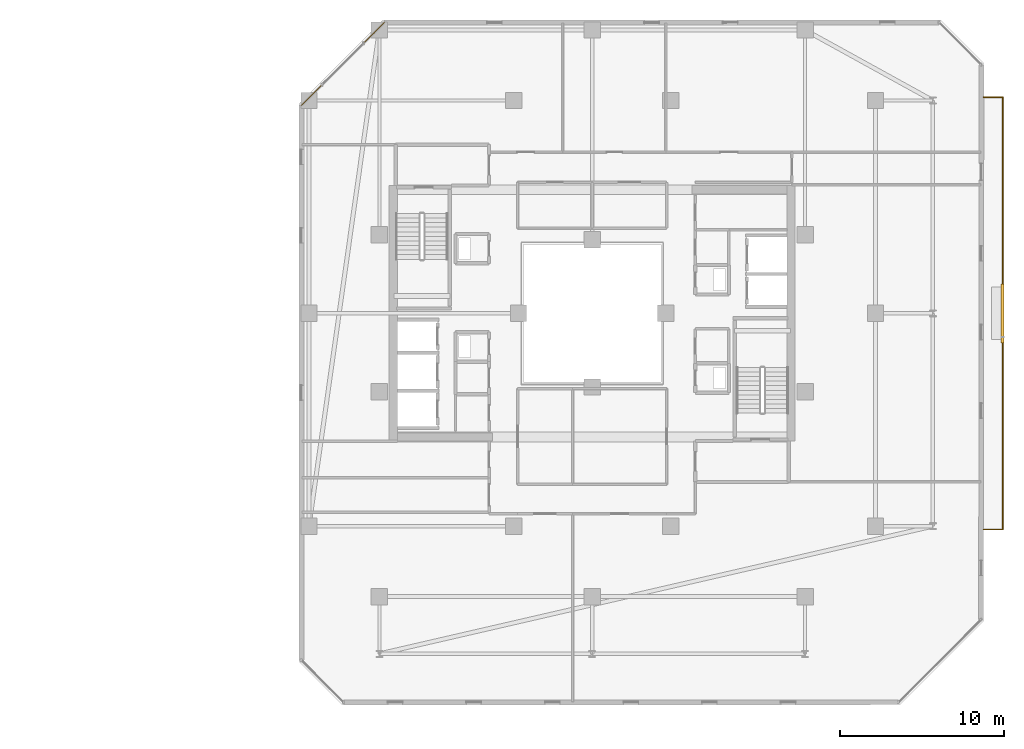
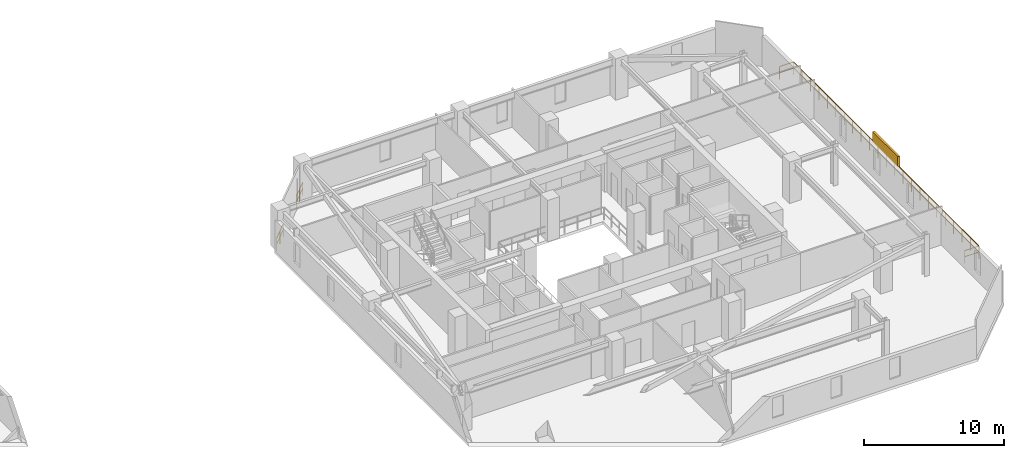
# One storey, part 32 of 32: 3 railings, 1 shading device.
"""IFC4 building model written with IfcOpenShell, lengths in metres."""

import ifcopenshell
import ifcopenshell.guid

model = None  # the IFC model being written
_history = None  # IfcOwnerHistory: only IFC2X3 demands one
_inside = {}  # id of a spatial element -> (the spatial element, [elements in it])
_under = {}  # id of a project, library or spatial element -> (it, [spatial elements below it])
_declared = {}  # id of a project -> (the project, [libraries it declares])
_typed = {}  # id of a type object -> (the type object, [elements of that type])
_made_of = {}  # id of a material, layer set ... -> (it, [elements and type objects made of it])


def new_model(schema):
    """Start an empty IFC model of exactly this schema.

    Asked for "IFC4X3", IfcOpenShell would pick the latest addendum, in which some entities
    have other attributes; the version numbers below select the first issue.
    IFC2X3 requires an IfcOwnerHistory on every rooted entity: one is made here for all.
    """
    global model, _history
    if schema == "IFC4X3":
        model = ifcopenshell.file(schema_version=(4, 3, 0, 0))
    else:
        model = ifcopenshell.file(schema=schema)
    _inside.clear()
    _under.clear()
    _declared.clear()
    _typed.clear()
    _made_of.clear()
    _history = None
    if model.schema == "IFC2X3":
        org = make("IfcOrganization", Name="unknown")
        user = make(
            "IfcPersonAndOrganization",
            ThePerson=make("IfcPerson", FamilyName="unknown"),
            TheOrganization=org,
        )
        app = make(
            "IfcApplication",
            ApplicationDeveloper=org,
            Version="unknown",
            ApplicationFullName="unknown",
            ApplicationIdentifier="unknown",
        )
        _history = make(
            "IfcOwnerHistory",
            OwningUser=user,
            OwningApplication=app,
            ChangeAction="ADDED",
            CreationDate=0,
        )
    return model


def make(cls, **values):
    """One entity of the class cls with the attributes given. An attribute that is None is left unset."""
    return model.create_entity(
        cls, **{name: value for name, value in values.items() if value is not None}
    )


def rooted(cls, **values):
    """An entity with a GlobalId (a new one), such as an element, a storey or a relation."""
    return make(cls, GlobalId=ifcopenshell.guid.new(), OwnerHistory=_history, **values)


def si_unit(unit_type, name, prefix=None):
    """IfcSIUnit, for example si_unit("LENGTHUNIT", "METRE", prefix="MILLI")."""
    return make("IfcSIUnit", UnitType=unit_type, Prefix=prefix, Name=name)


def assignment(units):
    """IfcUnitAssignment: the units of a project."""
    return None if units is None else make("IfcUnitAssignment", Units=units)


def point(xyz):
    """IfcCartesianPoint."""
    return None if xyz is None else make("IfcCartesianPoint", Coordinates=xyz)


def direction(xyz):
    """IfcDirection."""
    return None if xyz is None else make("IfcDirection", DirectionRatios=xyz)


def frame(location, z_axis=None, x_axis=None):
    """IfcAxis2Placement3D, a coordinate frame: its origin and axes. An axis left out is left unset."""
    return make(
        "IfcAxis2Placement3D",
        Location=point(location),
        Axis=direction(z_axis),
        RefDirection=direction(x_axis),
    )


def frame_2d(location, x_axis=None):
    """IfcAxis2Placement2D, a coordinate frame in the plane: its origin and x axis."""
    return make(
        "IfcAxis2Placement2D", Location=point(location), RefDirection=direction(x_axis)
    )


def origin():
    """The frame at (0, 0, 0) with its axes left unset."""
    return frame((0.0, 0.0, 0.0))


def origin_2d():
    """The frame at (0, 0) in the plane with its x axis left unset."""
    return frame_2d((0.0, 0.0))


def place(relative_to, where):
    """IfcLocalPlacement: puts the frame where relative to a parent placement (None: the world)."""
    return make(
        "IfcLocalPlacement", PlacementRelTo=relative_to, RelativePlacement=where
    )


def context(
    kind, dimensions, precision=None, world=None, true_north=None, identifier=None
):
    """IfcGeometricRepresentationContext, for example the 3D "Model" context."""
    return make(
        "IfcGeometricRepresentationContext",
        ContextIdentifier=identifier,
        ContextType=kind,
        CoordinateSpaceDimension=dimensions,
        Precision=precision,
        WorldCoordinateSystem=world,
        TrueNorth=true_north,
    )


def subcontext(parent, identifier, kind, view, scale=None):
    """IfcGeometricRepresentationSubContext, for example "Body" below "Model"."""
    return make(
        "IfcGeometricRepresentationSubContext",
        ContextIdentifier=identifier,
        ContextType=kind,
        ParentContext=parent,
        TargetScale=scale,
        TargetView=view,
    )


def project(units=None, contexts=None):
    """IfcProject with its units and contexts."""
    return rooted(
        "IfcProject",
        Name="project",
        RepresentationContexts=contexts,
        UnitsInContext=assignment(units),
    )


def spatial(cls, under=None, at=None, **own):
    """A site, building, storey or space (cls), placed at a placement, below another one or the project."""
    s = rooted(cls, ObjectPlacement=at, **own)
    if under is not None:
        _under.setdefault(under.id(), (under, []))[1].append(s)
    return s


def profile(cls, at=None, kind="AREA", **sizes):
    """A parametric profile (cls). Its sizes go by their IFC names, for example OverallWidth=200.0."""
    return make(cls, ProfileType=kind, Position=at, **sizes)


def rectangle(**sizes):
    """IfcRectangleProfileDef."""
    return profile("IfcRectangleProfileDef", **sizes)


def extrude(swept, where, along, depth):
    """IfcExtrudedAreaSolid: the profile swept, set in the frame where, extruded along a direction by depth."""
    return make(
        "IfcExtrudedAreaSolid",
        SweptArea=swept,
        Position=where,
        ExtrudedDirection=direction(along),
        Depth=depth,
    )


def shape(context_of_items, identifier, shape_type, items):
    """IfcShapeRepresentation: the items that make up one representation, for example the "Body"."""
    return make(
        "IfcShapeRepresentation",
        ContextOfItems=context_of_items,
        RepresentationIdentifier=identifier,
        RepresentationType=shape_type,
        Items=items,
    )


def material(Name=None, Category=None):
    """IfcMaterial."""
    return make("IfcMaterial", Name=Name, Category=Category)


def made_of(thing, what):
    """Note that an element or type object is made of a material, layer set ...; save() writes the relation."""
    if what is not None:
        _made_of.setdefault(what.id(), (what, []))[1].append(thing)
    return thing


def type_object(cls, material=None, **own):
    """A type object (cls), such as IfcWallType, which elements share."""
    return made_of(rooted(cls, **own), material)


def element(
    cls,
    number,
    at=None,
    inside=None,
    cuts=None,
    type_object=None,
    material=None,
    context=None,
    identifier="Body",
    shape_type=None,
    held_by="IfcProductDefinitionShape",
    body=None,
    shapes=None,
    **own,
):
    """One element of the class cls, such as IfcWall. Its Tag is "e" and its number.

    at: its placement. inside: the storey or other place that contains it. cuts: it is an
    opening in that element (IfcRelVoidsElement). A single representation is given by context,
    identifier, shape_type and body (its items); several are given by shapes. held_by: the class
    of the entity that holds the representations. save() writes the other relations.
    """
    e = rooted(cls, Tag="e%d" % number, ObjectPlacement=at, **own)
    if body is not None:
        shapes = [shape(context, identifier, shape_type, body)]
    if shapes is not None:
        e.Representation = make(held_by, Representations=shapes)
    if inside is not None:
        _inside.setdefault(inside.id(), (inside, []))[1].append(e)
    if cuts is not None:
        rooted(
            "IfcRelVoidsElement", RelatingBuildingElement=cuts, RelatedOpeningElement=e
        )
    if type_object is not None:
        _typed.setdefault(type_object.id(), (type_object, []))[1].append(e)
    return made_of(e, material)


def aggregate(whole, parts):
    """IfcRelAggregates: a whole, such as a stair, and the parts it consists of."""
    return rooted("IfcRelAggregates", RelatingObject=whole, RelatedObjects=parts)


def save(model, path):
    """Write the relations noted so far, then the file.

    IfcRelAggregates (storeys below a building ...), IfcRelContainedInSpatialStructure (elements
    in a storey), IfcRelDefinesByType, IfcRelAssociatesMaterial and IfcRelDeclares: one each for
    every whole, place, type object, material and project.
    """
    for whole, parts in _under.values():
        aggregate(whole, parts)
    for where, things in _inside.values():
        rooted(
            "IfcRelContainedInSpatialStructure",
            RelatedElements=things,
            RelatingStructure=where,
        )
    for kind, things in _typed.values():
        rooted("IfcRelDefinesByType", RelatedObjects=things, RelatingType=kind)
    for what, things in _made_of.values():
        rooted("IfcRelAssociatesMaterial", RelatedObjects=things, RelatingMaterial=what)
    for by, libraries in _declared.values():
        rooted("IfcRelDeclares", RelatingContext=by, RelatedDefinitions=libraries)
    model.write(path)


model = new_model("IFC4")

# Units and contexts
model_context = context("Model", 3, precision=1e-05, world=origin(), true_north=direction((0.0, 1.0)))
body_context = subcontext(model_context, "Body", "Model", "MODEL_VIEW")
ifc_project = project(units=[si_unit("LENGTHUNIT", "METRE"), si_unit("AREAUNIT", "SQUARE_METRE"), si_unit("VOLUMEUNIT", "CUBIC_METRE"), si_unit("PLANEANGLEUNIT", "RADIAN"), si_unit("MASSUNIT", "GRAM", prefix="KILO")], contexts=[model_context])

# Site, building, storey
site_placement = place(None, origin())
site = spatial("IfcSite", under=ifc_project, at=site_placement, CompositionType="ELEMENT")
building_placement = place(site_placement, origin())
building = spatial("IfcBuilding", under=site, at=building_placement, Name="Thornwick Lancets Civic Towers", CompositionType="ELEMENT")
storey_placement = place(building_placement, frame((0.0, 0.0, 243.89990234375)))
storey = spatial("IfcBuildingStorey", under=building, at=storey_placement, Name="L65", CompositionType="ELEMENT", Elevation=243.89990234375)

# Railings
ifc_material_1 = material(Name="Terracotta-capped laminated glass balustrade S355", Category="masonry")
railing_type = type_object("IfcRailingType", Name="RAIL_TERR_GUARD", PredefinedType="GUARDRAIL", material=ifc_material_1)
for number, where, name in (
    (1, (75.800537109375, 44.75634765625, 0.0), "L65 Tower B Chamfer Spandrel Guard E5-1"),
    (2, (72.006103515625, 40.9619140625, 0.0), "L65 Tower B Chamfer Spandrel Guard E5-2"),
):
    element("IfcRailing", number, at=place(storey_placement, frame(where)), inside=storey, type_object=railing_type, Name=name, PredefinedType="GUARDRAIL", context=body_context, shape_type="SweptSolid", body=[
        extrude(rectangle(XDim=0.048095703125, YDim=0.048095703125, at=origin_2d()), frame((0.0, 0.0, 1.1259765625), z_axis=(-0.707106781187, -0.707106781187, 0.0), x_axis=(0.707106781187, -0.707106781187, 0.0)), (0.0, 0.0, 1.0), 1.785400390625),
        extrude(rectangle(XDim=0.0419921875, YDim=0.0419921875, at=origin_2d()), frame((-0.026611328125, -0.026611328125, 0.597900390625), z_axis=(-0.707106781187, -0.707106781187, 0.0), x_axis=(0.707106781187, -0.707106781187, 0.0)), (0.0, 0.0, 1.0), 0.817626953125),
        extrude(rectangle(XDim=0.0419921875, YDim=0.0419921875, at=origin_2d()), frame((-0.65771484375, -0.65771484375, 0.597900390625), z_axis=(-0.707106781187, -0.707106781187, 0.0), x_axis=(0.707106781187, -0.707106781187, 0.0)), (0.0, 0.0, 1.0), 0.817626953125),
        extrude(rectangle(XDim=0.0419921875, YDim=0.0419921875, at=origin_2d()), origin(), (0.0, 0.0, 1.0), 1.095703125),
        extrude(rectangle(XDim=0.0419921875, YDim=0.0419921875, at=origin_2d()), frame((-0.63134765625, -0.63134765625, 0.0)), (0.0, 0.0, 1.0), 1.095703125),
        extrude(rectangle(XDim=0.0419921875, YDim=0.0419921875, at=origin_2d()), frame((-1.262451171875, -1.262451171875, 0.0)), (0.0, 0.0, 1.0), 1.095703125),
    ])
railing_placement = place(storey_placement, frame((112.39990234375, 13.800048828125, 0.0)))
element("IfcRailing", 3, at=railing_placement, inside=storey, type_object=railing_type, Name="L65 Tower B Balcony Guard E", PredefinedType="GUARDRAIL", context=body_context, shape_type="SweptSolid", body=[
    extrude(rectangle(XDim=0.048095703125, YDim=0.048095703125, at=origin_2d()), frame((0.0, 0.0, 1.1259765625), z_axis=(1.0, 0.0, 0.0), x_axis=(0.0, 1.0, 0.0)), (0.0, 0.0, 1.0), 1.138916015625),
    extrude(rectangle(XDim=0.0419921875, YDim=0.0419921875, at=origin_2d()), frame((0.03759765625, 0.0, 0.597900390625), z_axis=(1.0, 0.0, 0.0), x_axis=(0.0, 1.0, 0.0)), (0.0, 0.0, 1.0), 1.09521484375),
    extrude(rectangle(XDim=0.048095703125, YDim=0.048095703125, at=origin_2d()), frame((1.170166015625, 0.03125, 1.1259765625), z_axis=(0.0, 1.0, 0.0), x_axis=(-1.0, 0.0, 0.0)), (0.0, 0.0, 1.0), 26.33740234375),
    extrude(rectangle(XDim=0.0419921875, YDim=0.0419921875, at=origin_2d()), frame((1.170166015625, 0.03759765625, 0.597900390625), z_axis=(0.0, 1.0, 0.0), x_axis=(-1.0, 0.0, 0.0)), (0.0, 0.0, 1.0), 1.125),
    extrude(rectangle(XDim=0.0419921875, YDim=0.0419921875, at=origin_2d()), frame((1.170166015625, 1.237548828125, 0.597900390625), z_axis=(0.0, 1.0, 0.0), x_axis=(-1.0, 0.0, 0.0)), (0.0, 0.0, 1.0), 1.125),
    extrude(rectangle(XDim=0.0419921875, YDim=0.0419921875, at=origin_2d()), frame((1.170166015625, 2.4375, 0.597900390625), z_axis=(0.0, 1.0, 0.0), x_axis=(-1.0, 0.0, 0.0)), (0.0, 0.0, 1.0), 1.125),
    extrude(rectangle(XDim=0.0419921875, YDim=0.0419921875, at=origin_2d()), frame((1.170166015625, 3.637451171875, 0.597900390625), z_axis=(0.0, 1.0, 0.0), x_axis=(-1.0, 0.0, 0.0)), (0.0, 0.0, 1.0), 1.125),
    extrude(rectangle(XDim=0.0419921875, YDim=0.0419921875, at=origin_2d()), frame((1.170166015625, 4.83740234375, 0.597900390625), z_axis=(0.0, 1.0, 0.0), x_axis=(-1.0, 0.0, 0.0)), (0.0, 0.0, 1.0), 1.125),
    extrude(rectangle(XDim=0.0419921875, YDim=0.0419921875, at=origin_2d()), frame((1.170166015625, 6.037353515625, 0.597900390625), z_axis=(0.0, 1.0, 0.0), x_axis=(-1.0, 0.0, 0.0)), (0.0, 0.0, 1.0), 1.125),
    extrude(rectangle(XDim=0.0419921875, YDim=0.0419921875, at=origin_2d()), frame((1.170166015625, 7.237548828125, 0.597900390625), z_axis=(0.0, 1.0, 0.0), x_axis=(-1.0, 0.0, 0.0)), (0.0, 0.0, 1.0), 1.125),
    extrude(rectangle(XDim=0.0419921875, YDim=0.0419921875, at=origin_2d()), frame((1.170166015625, 8.4375, 0.597900390625), z_axis=(0.0, 1.0, 0.0), x_axis=(-1.0, 0.0, 0.0)), (0.0, 0.0, 1.0), 1.125),
    extrude(rectangle(XDim=0.0419921875, YDim=0.0419921875, at=origin_2d()), frame((1.170166015625, 9.637451171875, 0.597900390625), z_axis=(0.0, 1.0, 0.0), x_axis=(-1.0, 0.0, 0.0)), (0.0, 0.0, 1.0), 1.125),
    extrude(rectangle(XDim=0.0419921875, YDim=0.0419921875, at=origin_2d()), frame((1.170166015625, 10.83740234375, 0.597900390625), z_axis=(0.0, 1.0, 0.0), x_axis=(-1.0, 0.0, 0.0)), (0.0, 0.0, 1.0), 1.125),
    extrude(rectangle(XDim=0.0419921875, YDim=0.0419921875, at=origin_2d()), frame((1.170166015625, 12.037353515625, 0.597900390625), z_axis=(0.0, 1.0, 0.0), x_axis=(-1.0, 0.0, 0.0)), (0.0, 0.0, 1.0), 1.125),
    extrude(rectangle(XDim=0.0419921875, YDim=0.0419921875, at=origin_2d()), frame((1.170166015625, 13.237548828125, 0.597900390625), z_axis=(0.0, 1.0, 0.0), x_axis=(-1.0, 0.0, 0.0)), (0.0, 0.0, 1.0), 1.125),
    extrude(rectangle(XDim=0.0419921875, YDim=0.0419921875, at=origin_2d()), frame((1.170166015625, 14.4375, 0.597900390625), z_axis=(0.0, 1.0, 0.0), x_axis=(-1.0, 0.0, 0.0)), (0.0, 0.0, 1.0), 1.125),
    extrude(rectangle(XDim=0.0419921875, YDim=0.0419921875, at=origin_2d()), frame((1.170166015625, 15.637451171875, 0.597900390625), z_axis=(0.0, 1.0, 0.0), x_axis=(-1.0, 0.0, 0.0)), (0.0, 0.0, 1.0), 1.125),
    extrude(rectangle(XDim=0.0419921875, YDim=0.0419921875, at=origin_2d()), frame((1.170166015625, 16.83740234375, 0.597900390625), z_axis=(0.0, 1.0, 0.0), x_axis=(-1.0, 0.0, 0.0)), (0.0, 0.0, 1.0), 1.125),
    extrude(rectangle(XDim=0.0419921875, YDim=0.0419921875, at=origin_2d()), frame((1.170166015625, 18.037353515625, 0.597900390625), z_axis=(0.0, 1.0, 0.0), x_axis=(-1.0, 0.0, 0.0)), (0.0, 0.0, 1.0), 1.125),
    extrude(rectangle(XDim=0.0419921875, YDim=0.0419921875, at=origin_2d()), frame((1.170166015625, 19.2373046875, 0.597900390625), z_axis=(0.0, 1.0, 0.0), x_axis=(-1.0, 0.0, 0.0)), (0.0, 0.0, 1.0), 1.125),
    extrude(rectangle(XDim=0.0419921875, YDim=0.0419921875, at=origin_2d()), frame((1.170166015625, 20.4375, 0.597900390625), z_axis=(0.0, 1.0, 0.0), x_axis=(-1.0, 0.0, 0.0)), (0.0, 0.0, 1.0), 1.125),
    extrude(rectangle(XDim=0.0419921875, YDim=0.0419921875, at=origin_2d()), frame((1.170166015625, 21.637451171875, 0.597900390625), z_axis=(0.0, 1.0, 0.0), x_axis=(-1.0, 0.0, 0.0)), (0.0, 0.0, 1.0), 1.125),
    extrude(rectangle(XDim=0.0419921875, YDim=0.0419921875, at=origin_2d()), frame((1.170166015625, 22.83740234375, 0.597900390625), z_axis=(0.0, 1.0, 0.0), x_axis=(-1.0, 0.0, 0.0)), (0.0, 0.0, 1.0), 1.125),
    extrude(rectangle(XDim=0.0419921875, YDim=0.0419921875, at=origin_2d()), frame((1.170166015625, 24.037353515625, 0.597900390625), z_axis=(0.0, 1.0, 0.0), x_axis=(-1.0, 0.0, 0.0)), (0.0, 0.0, 1.0), 1.125),
    extrude(rectangle(XDim=0.0419921875, YDim=0.0419921875, at=origin_2d()), frame((1.170166015625, 25.2373046875, 0.597900390625), z_axis=(0.0, 1.0, 0.0), x_axis=(-1.0, 0.0, 0.0)), (0.0, 0.0, 1.0), 1.125),
    extrude(rectangle(XDim=0.048095703125, YDim=0.048095703125, at=origin_2d()), frame((1.138916015625, 26.39990234375, 1.1259765625), z_axis=(-1.0, 0.0, 0.0), x_axis=(0.0, -1.0, 0.0)), (0.0, 0.0, 1.0), 1.138916015625),
    extrude(rectangle(XDim=0.0419921875, YDim=0.0419921875, at=origin_2d()), frame((1.132568359375, 26.39990234375, 0.597900390625), z_axis=(-1.0, 0.0, 0.0), x_axis=(0.0, -1.0, 0.0)), (0.0, 0.0, 1.0), 1.09521484375),
    extrude(rectangle(XDim=0.0419921875, YDim=0.0419921875, at=origin_2d()), origin(), (0.0, 0.0, 1.0), 1.095703125),
    extrude(rectangle(XDim=0.0419921875, YDim=0.0419921875, at=origin_2d()), frame((1.170166015625, 0.0, 0.0)), (0.0, 0.0, 1.0), 1.095703125),
    extrude(rectangle(XDim=0.0419921875, YDim=0.0419921875, at=origin_2d()), frame((1.170166015625, 1.199951171875, 0.0)), (0.0, 0.0, 1.0), 1.095703125),
    extrude(rectangle(XDim=0.0419921875, YDim=0.0419921875, at=origin_2d()), frame((1.170166015625, 2.39990234375, 0.0)), (0.0, 0.0, 1.0), 1.095703125),
    extrude(rectangle(XDim=0.0419921875, YDim=0.0419921875, at=origin_2d()), frame((1.170166015625, 3.60009765625, 0.0)), (0.0, 0.0, 1.0), 1.095703125),
    extrude(rectangle(XDim=0.0419921875, YDim=0.0419921875, at=origin_2d()), frame((1.170166015625, 4.800048828125, 0.0)), (0.0, 0.0, 1.0), 1.095703125),
    extrude(rectangle(XDim=0.0419921875, YDim=0.0419921875, at=origin_2d()), frame((1.170166015625, 6.0, 0.0)), (0.0, 0.0, 1.0), 1.095703125),
    extrude(rectangle(XDim=0.0419921875, YDim=0.0419921875, at=origin_2d()), frame((1.170166015625, 7.199951171875, 0.0)), (0.0, 0.0, 1.0), 1.095703125),
    extrude(rectangle(XDim=0.0419921875, YDim=0.0419921875, at=origin_2d()), frame((1.170166015625, 8.39990234375, 0.0)), (0.0, 0.0, 1.0), 1.095703125),
    extrude(rectangle(XDim=0.0419921875, YDim=0.0419921875, at=origin_2d()), frame((1.170166015625, 9.599853515625, 0.0)), (0.0, 0.0, 1.0), 1.095703125),
    extrude(rectangle(XDim=0.0419921875, YDim=0.0419921875, at=origin_2d()), frame((1.170166015625, 10.800048828125, 0.0)), (0.0, 0.0, 1.0), 1.095703125),
    extrude(rectangle(XDim=0.0419921875, YDim=0.0419921875, at=origin_2d()), frame((1.170166015625, 12.0, 0.0)), (0.0, 0.0, 1.0), 1.095703125),
    extrude(rectangle(XDim=0.0419921875, YDim=0.0419921875, at=origin_2d()), frame((1.170166015625, 13.199951171875, 0.0)), (0.0, 0.0, 1.0), 1.095703125),
    extrude(rectangle(XDim=0.0419921875, YDim=0.0419921875, at=origin_2d()), frame((1.170166015625, 14.39990234375, 0.0)), (0.0, 0.0, 1.0), 1.095703125),
    extrude(rectangle(XDim=0.0419921875, YDim=0.0419921875, at=origin_2d()), frame((1.170166015625, 15.599853515625, 0.0)), (0.0, 0.0, 1.0), 1.095703125),
    extrude(rectangle(XDim=0.0419921875, YDim=0.0419921875, at=origin_2d()), frame((1.170166015625, 16.800048828125, 0.0)), (0.0, 0.0, 1.0), 1.095703125),
    extrude(rectangle(XDim=0.0419921875, YDim=0.0419921875, at=origin_2d()), frame((1.170166015625, 18.0, 0.0)), (0.0, 0.0, 1.0), 1.095703125),
    extrude(rectangle(XDim=0.0419921875, YDim=0.0419921875, at=origin_2d()), frame((1.170166015625, 19.199951171875, 0.0)), (0.0, 0.0, 1.0), 1.095703125),
    extrude(rectangle(XDim=0.0419921875, YDim=0.0419921875, at=origin_2d()), frame((1.170166015625, 20.39990234375, 0.0)), (0.0, 0.0, 1.0), 1.095703125),
    extrude(rectangle(XDim=0.0419921875, YDim=0.0419921875, at=origin_2d()), frame((1.170166015625, 21.599853515625, 0.0)), (0.0, 0.0, 1.0), 1.095703125),
    extrude(rectangle(XDim=0.0419921875, YDim=0.0419921875, at=origin_2d()), frame((1.170166015625, 22.7998046875, 0.0)), (0.0, 0.0, 1.0), 1.095703125),
    extrude(rectangle(XDim=0.0419921875, YDim=0.0419921875, at=origin_2d()), frame((1.170166015625, 24.0, 0.0)), (0.0, 0.0, 1.0), 1.095703125),
    extrude(rectangle(XDim=0.0419921875, YDim=0.0419921875, at=origin_2d()), frame((1.170166015625, 25.199951171875, 0.0)), (0.0, 0.0, 1.0), 1.095703125),
    extrude(rectangle(XDim=0.0419921875, YDim=0.0419921875, at=origin_2d()), frame((1.170166015625, 26.39990234375, 0.0)), (0.0, 0.0, 1.0), 1.095703125),
    extrude(rectangle(XDim=0.0419921875, YDim=0.0419921875, at=origin_2d()), frame((0.0, 26.39990234375, 0.0)), (0.0, 0.0, 1.0), 1.095703125),
])

# Shading device
ifc_material_2 = material(Name="Extruded terracotta baguette solar screen", Category="masonry")
shading_device_type = type_object("IfcShadingDeviceType", Name="SHADE_BAGUETTE", PredefinedType="JALOUSIE", material=ifc_material_2)
shading_device_placement = place(storey_placement, frame((113.56005859375, 27.0, 1.1201171875), z_axis=(0.0, 0.0, 1.0), x_axis=(0.0, 1.0, 0.0)))
element("IfcShadingDevice", 4, at=shading_device_placement, inside=storey, type_object=shading_device_type, Name="L65 Tower B Terracotta Baguette Screen E", PredefinedType="JALOUSIE", context=body_context, shape_type="SweptSolid", body=[
    extrude(rectangle(XDim=3.60009765625, YDim=0.179931640625, at=origin_2d()), origin(), (0.0, 0.0, 1.0), 0.89990234375),
])

save(model, "model.ifc")
